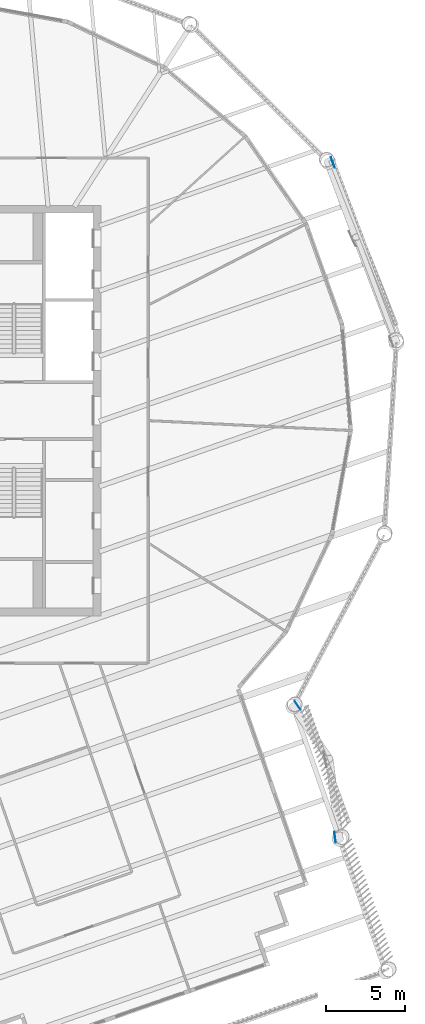
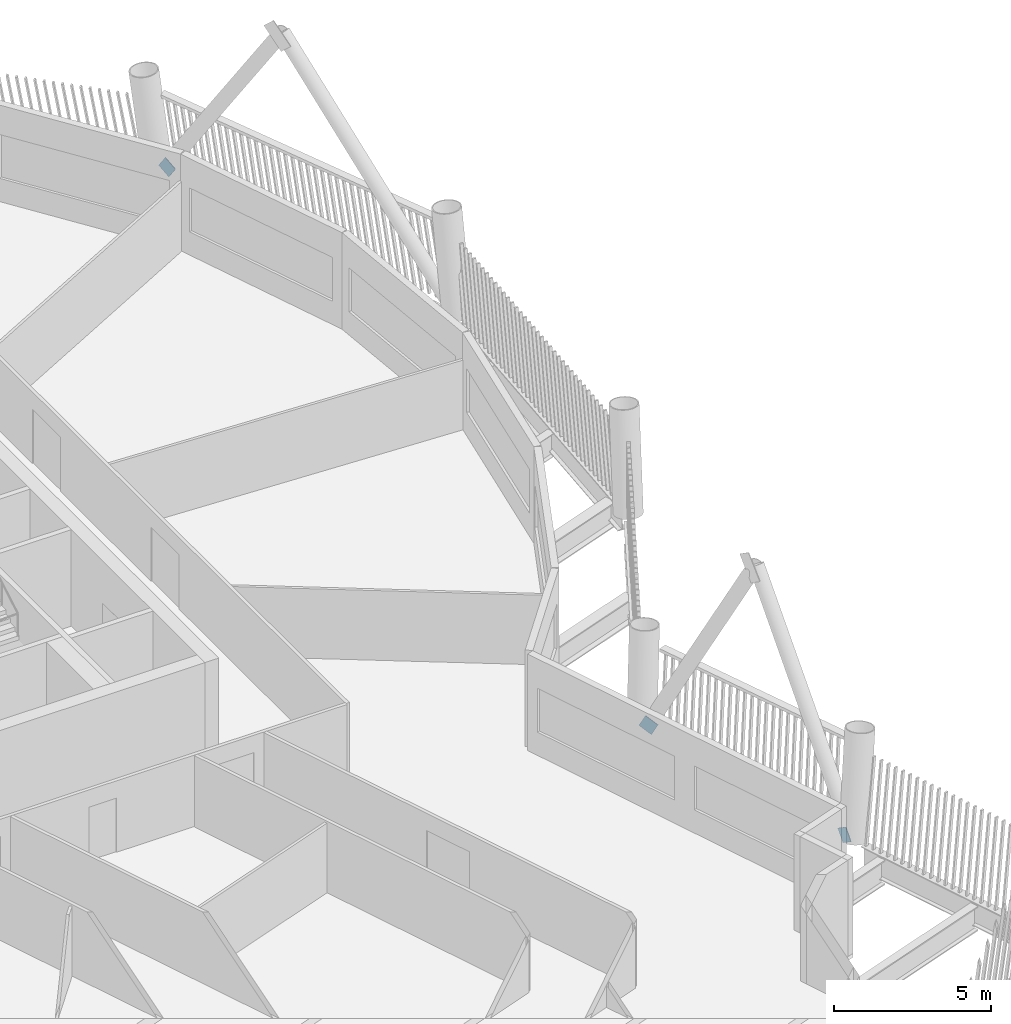
# One storey, part 14 of 23: 3 discrete accessories.
"""IFC4 building model written with IfcOpenShell, lengths in metres."""

from ifc_helpers import new_model, si_unit, direction, frame, origin, origin_2d, place, context, subcontext, project, spatial, rectangle, extrude, material, material_profile, profile_set, type_object, element, save


model = new_model("IFC4")

# Units and contexts
model_context = context("Model", 3, precision=1e-05, world=origin(), true_north=direction((0.0, 1.0)))
body_context = subcontext(model_context, "Body", "Model", "MODEL_VIEW")
ifc_project = project(units=[si_unit("LENGTHUNIT", "METRE"), si_unit("AREAUNIT", "SQUARE_METRE"), si_unit("VOLUMEUNIT", "CUBIC_METRE"), si_unit("PLANEANGLEUNIT", "RADIAN"), si_unit("MASSUNIT", "GRAM", prefix="KILO")], contexts=[model_context])

# Site, building, storey
site_placement = place(None, origin())
site = spatial("IfcSite", under=ifc_project, at=site_placement, CompositionType="ELEMENT")
building_placement = place(site_placement, origin())
building = spatial("IfcBuilding", under=site, at=building_placement, Name="Tarsis Ring Headquarters", CompositionType="ELEMENT")
storey_placement = place(building_placement, frame((0.0, 0.0, 308.0)))
storey = spatial("IfcBuildingStorey", under=building, at=storey_placement, Name="L72", CompositionType="ELEMENT", Elevation=308.0)

# Discrete accessories
ifc_material = material(Name="Structural steel S355", Category="steel")
ifc_material_profile = material_profile(ifc_material, rectangle(XDim=0.02490234375, YDim=0.5, at=origin_2d()), Name="PL 25x500")
ifc_profile_set = profile_set([ifc_material_profile], Name="Structural steel S355")
discrete_accessory_type = type_object("IfcDiscreteAccessoryType", Name="Gusset plate Exo brace 25", PredefinedType="BRACKET", material=ifc_profile_set)
for number, where, z_axis, x_axis, name in (
    (1, (24.8603515625, -27.1787109375, 0.0), (-0.069335697802, 0.544431711615, 0.835934610121), (-0.991987778853, -0.126333869594, 0.0), "Gusset plate GP5"),
    (2, (22.416748046875, -18.58740234375, 0.0), (0.259776247153, -0.378921743967, 0.888219912727), (0.824785502521, 0.56544573111, 0.0), "Gusset plate GP5"),
    (3, (24.651123046875, 15.853515625, 0.0), (0.190913348801, -0.512194636553, 0.837382079779), (0.937024803593, 0.349262820024, 0.0), "Gusset plate GP5"),
):
    element("IfcDiscreteAccessory", number, at=place(storey_placement, frame(where, z_axis=z_axis, x_axis=x_axis)), inside=storey, type_object=discrete_accessory_type, Name=name, PredefinedType="BRACKET", context=body_context, shape_type="SweptSolid", body=[
        extrude(rectangle(XDim=0.02490234375, YDim=0.5, at=origin_2d()), origin(), (0.0, 0.0, 1.0), 0.5),
    ])

save(model, "model.ifc")
